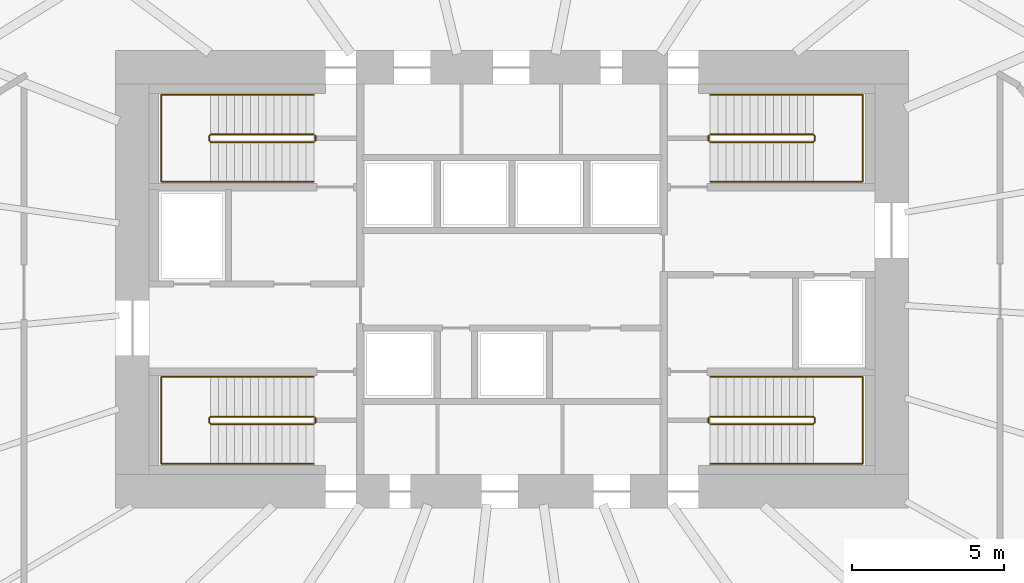
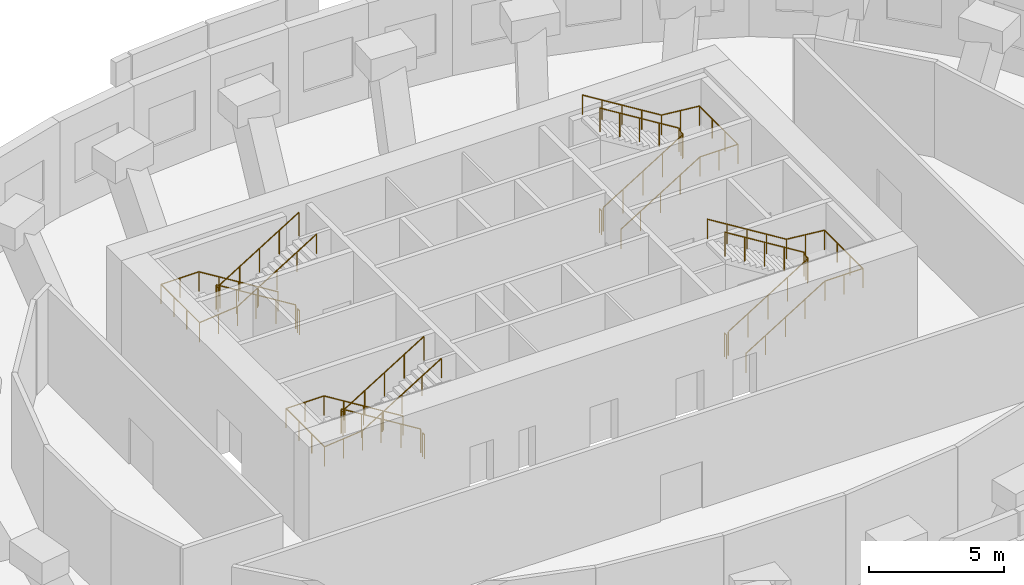
# One storey, part 9 of 9: 12 railings.
"""IFC4 building model written with IfcOpenShell, lengths in metres."""

from ifc_helpers import new_model, si_unit, direction, frame, origin, origin_2d, place, context, subcontext, project, spatial, circle, extrude, material, type_object, element, save


model = new_model("IFC4")

# Units and contexts
model_context = context("Model", 3, precision=1e-05, world=origin(), true_north=direction((0.0, 1.0)))
body_context = subcontext(model_context, "Body", "Model", "MODEL_VIEW")
ifc_project = project(units=[si_unit("LENGTHUNIT", "METRE"), si_unit("AREAUNIT", "SQUARE_METRE"), si_unit("VOLUMEUNIT", "CUBIC_METRE"), si_unit("PLANEANGLEUNIT", "RADIAN"), si_unit("MASSUNIT", "GRAM", prefix="KILO")], contexts=[model_context])

# Site, building, storey
site_placement = place(None, origin())
site = spatial("IfcSite", under=ifc_project, at=site_placement, CompositionType="ELEMENT")
building_placement = place(site_placement, origin())
building = spatial("IfcBuilding", under=site, at=building_placement, Name="Rubra Terraces Tower", CompositionType="ELEMENT")
storey_placement = place(building_placement, frame((0.0, 0.0, 169.5)))
storey = spatial("IfcBuildingStorey", under=building, at=storey_placement, Name="L41", CompositionType="ELEMENT", Elevation=169.5)

# Railings
ifc_material = material(Name="Stainless steel", Category="steel")
railing_type_1 = type_object("IfcRailingType", Name="Core stair guard 1100", PredefinedType="GUARDRAIL", material=ifc_material)
railing_1_placement = place(storey_placement, frame((-6.5, 0.0, 0.16064453125)))
element("IfcRailing", 1, at=railing_1_placement, inside=storey, type_object=railing_type_1, Name="L41 stair S1 guard 1", PredefinedType="GUARDRAIL", context=body_context, shape_type="SweptSolid", body=[
    extrude(circle(Radius=0.02392578125, at=origin_2d()), frame((0.0, 0.0, 1.076171875), z_axis=(-0.8505975674, 0.0, 0.525817248036), x_axis=(0.0, -1.0, 0.0)), (0.0, 0.0, 1.0), 3.9736328125),
    extrude(circle(Radius=0.02392578125, at=origin_2d()), frame((-3.3798828125, 0.0, 3.16552734375), z_axis=(-0.707106781187, -0.707106781187, 0.0), x_axis=(0.707106781187, -0.707106781187, 0.0)), (0.0, 0.0, 1.0), 0.07080078125),
    extrude(circle(Radius=0.02392578125, at=origin_2d()), frame((-3.429931640625, -0.050048828125, 3.16552734375), z_axis=(0.0, -1.0, 0.0), x_axis=(1.0, 0.0, 0.0)), (0.0, 0.0, 1.0), 0.14990234375),
    extrude(circle(Radius=0.02392578125, at=origin_2d()), frame((-3.429931640625, -0.199951171875, 3.16552734375), z_axis=(0.285103605394, -0.285103605394, 0.91511303585), x_axis=(0.707106781187, 0.707106781187, 0.0)), (0.0, 0.0, 1.0), 0.175537109375),
    extrude(circle(Radius=0.02392578125, at=origin_2d()), frame((-3.3798828125, -0.25, 3.326171875), z_axis=(0.8505975674, 0.0, 0.525817248036), x_axis=(0.0, 1.0, 0.0)), (0.0, 0.0, 1.0), 3.9736328125),
    extrude(circle(Radius=0.02099609375, at=origin_2d()), origin(), (0.0, 0.0, 1.0), 1.052001953125),
    extrude(circle(Radius=0.02099609375, at=origin_2d()), frame((-0.844970703125, 0.0, 0.5224609375)), (0.0, 0.0, 1.0), 1.052001953125),
    extrude(circle(Radius=0.02099609375, at=origin_2d()), frame((-1.68994140625, 0.0, 1.044677734375)), (0.0, 0.0, 1.0), 1.052001953125),
    extrude(circle(Radius=0.02099609375, at=origin_2d()), frame((-2.534912109375, 0.0, 1.56689453125)), (0.0, 0.0, 1.0), 1.052001953125),
    extrude(circle(Radius=0.02099609375, at=origin_2d()), frame((-3.3798828125, 0.0, 2.08935546875)), (0.0, 0.0, 1.0), 1.052001953125),
    extrude(circle(Radius=0.02099609375, at=origin_2d()), frame((-3.429931640625, -0.050048828125, 2.08935546875)), (0.0, 0.0, 1.0), 1.052001953125),
    extrude(circle(Radius=0.02099609375, at=origin_2d()), frame((-3.429931640625, -0.199951171875, 2.08935546875)), (0.0, 0.0, 1.0), 1.052001953125),
    extrude(circle(Radius=0.02099609375, at=origin_2d()), frame((-3.3798828125, -0.25, 2.25)), (0.0, 0.0, 1.0), 1.052001953125),
    extrude(circle(Radius=0.02099609375, at=origin_2d()), frame((-2.534912109375, -0.25, 2.7724609375)), (0.0, 0.0, 1.0), 1.052001953125),
    extrude(circle(Radius=0.02099609375, at=origin_2d()), frame((-1.68994140625, -0.25, 3.294677734375)), (0.0, 0.0, 1.0), 1.052001953125),
    extrude(circle(Radius=0.02099609375, at=origin_2d()), frame((-0.844970703125, -0.25, 3.81689453125)), (0.0, 0.0, 1.0), 1.052001953125),
    extrude(circle(Radius=0.02099609375, at=origin_2d()), frame((0.0, -0.25, 4.33935546875)), (0.0, 0.0, 1.0), 1.052001953125),
])
railing_2_placement = place(storey_placement, frame((-6.449951171875, -0.050048828125, 0.0)))
element("IfcRailing", 2, at=railing_2_placement, inside=storey, type_object=railing_type_1, Name="L41 stair S1 guard 2", PredefinedType="GUARDRAIL", context=body_context, shape_type="SweptSolid", body=[
    extrude(circle(Radius=0.02392578125, at=origin_2d()), frame((0.0, 0.0, 1.076171875), z_axis=(0.0, -1.0, 0.0), x_axis=(1.0, 0.0, 0.0)), (0.0, 0.0, 1.0), 0.14990234375),
    extrude(circle(Radius=0.02099609375, at=origin_2d()), origin(), (0.0, 0.0, 1.0), 1.052001953125),
    extrude(circle(Radius=0.02099609375, at=origin_2d()), frame((0.0, -0.14990234375, 0.0)), (0.0, 0.0, 1.0), 1.052001953125),
])
railing_3_placement = place(storey_placement, frame((-6.5, 9.25, 0.16064453125)))
element("IfcRailing", 3, at=railing_3_placement, inside=storey, type_object=railing_type_1, Name="L41 stair S2 guard 1", PredefinedType="GUARDRAIL", context=body_context, shape_type="SweptSolid", body=[
    extrude(circle(Radius=0.02392578125, at=origin_2d()), frame((0.0, 0.0, 1.076171875), z_axis=(-0.8505975674, 0.0, 0.525817248036), x_axis=(0.0, -1.0, 0.0)), (0.0, 0.0, 1.0), 3.9736328125),
    extrude(circle(Radius=0.02392578125, at=origin_2d()), frame((-3.3798828125, 0.0, 3.16552734375), z_axis=(-0.707106781187, -0.707106781187, 0.0), x_axis=(0.707106781187, -0.707106781187, 0.0)), (0.0, 0.0, 1.0), 0.07080078125),
    extrude(circle(Radius=0.02392578125, at=origin_2d()), frame((-3.429931640625, -0.050048828125, 3.16552734375), z_axis=(0.0, -1.0, 0.0), x_axis=(1.0, 0.0, 0.0)), (0.0, 0.0, 1.0), 0.14990234375),
    extrude(circle(Radius=0.02392578125, at=origin_2d()), frame((-3.429931640625, -0.199951171875, 3.16552734375), z_axis=(0.285103605394, -0.285103605394, 0.91511303585), x_axis=(0.707106781187, 0.707106781187, 0.0)), (0.0, 0.0, 1.0), 0.175537109375),
    extrude(circle(Radius=0.02392578125, at=origin_2d()), frame((-3.3798828125, -0.25, 3.326171875), z_axis=(0.8505975674, 0.0, 0.525817248036), x_axis=(0.0, 1.0, 0.0)), (0.0, 0.0, 1.0), 3.9736328125),
    extrude(circle(Radius=0.02099609375, at=origin_2d()), origin(), (0.0, 0.0, 1.0), 1.052001953125),
    extrude(circle(Radius=0.02099609375, at=origin_2d()), frame((-0.844970703125, 0.0, 0.5224609375)), (0.0, 0.0, 1.0), 1.052001953125),
    extrude(circle(Radius=0.02099609375, at=origin_2d()), frame((-1.68994140625, 0.0, 1.044677734375)), (0.0, 0.0, 1.0), 1.052001953125),
    extrude(circle(Radius=0.02099609375, at=origin_2d()), frame((-2.534912109375, 0.0, 1.56689453125)), (0.0, 0.0, 1.0), 1.052001953125),
    extrude(circle(Radius=0.02099609375, at=origin_2d()), frame((-3.3798828125, 0.0, 2.08935546875)), (0.0, 0.0, 1.0), 1.052001953125),
    extrude(circle(Radius=0.02099609375, at=origin_2d()), frame((-3.429931640625, -0.050048828125, 2.08935546875)), (0.0, 0.0, 1.0), 1.052001953125),
    extrude(circle(Radius=0.02099609375, at=origin_2d()), frame((-3.429931640625, -0.199951171875, 2.08935546875)), (0.0, 0.0, 1.0), 1.052001953125),
    extrude(circle(Radius=0.02099609375, at=origin_2d()), frame((-3.3798828125, -0.25, 2.25)), (0.0, 0.0, 1.0), 1.052001953125),
    extrude(circle(Radius=0.02099609375, at=origin_2d()), frame((-2.534912109375, -0.25, 2.7724609375)), (0.0, 0.0, 1.0), 1.052001953125),
    extrude(circle(Radius=0.02099609375, at=origin_2d()), frame((-1.68994140625, -0.25, 3.294677734375)), (0.0, 0.0, 1.0), 1.052001953125),
    extrude(circle(Radius=0.02099609375, at=origin_2d()), frame((-0.844970703125, -0.25, 3.81689453125)), (0.0, 0.0, 1.0), 1.052001953125),
    extrude(circle(Radius=0.02099609375, at=origin_2d()), frame((0.0, -0.25, 4.33935546875)), (0.0, 0.0, 1.0), 1.052001953125),
])
railing_4_placement = place(storey_placement, frame((-6.449951171875, 9.199951171875, 0.0)))
element("IfcRailing", 4, at=railing_4_placement, inside=storey, type_object=railing_type_1, Name="L41 stair S2 guard 2", PredefinedType="GUARDRAIL", context=body_context, shape_type="SweptSolid", body=[
    extrude(circle(Radius=0.02392578125, at=origin_2d()), frame((0.0, 0.0, 1.076171875), z_axis=(0.0, -1.0, 0.0), x_axis=(1.0, 0.0, 0.0)), (0.0, 0.0, 1.0), 0.14990234375),
    extrude(circle(Radius=0.02099609375, at=origin_2d()), origin(), (0.0, 0.0, 1.0), 1.052001953125),
    extrude(circle(Radius=0.02099609375, at=origin_2d()), frame((0.0, -0.14990234375, 0.0)), (0.0, 0.0, 1.0), 1.052001953125),
])
railing_5_placement = place(storey_placement, frame((6.5, 9.0, 0.16064453125)))
element("IfcRailing", 5, at=railing_5_placement, inside=storey, type_object=railing_type_1, Name="L41 stair S3 guard 1", PredefinedType="GUARDRAIL", context=body_context, shape_type="SweptSolid", body=[
    extrude(circle(Radius=0.02392578125, at=origin_2d()), frame((0.0, 0.0, 1.076171875), z_axis=(0.8505975674, 0.0, 0.525817248036), x_axis=(0.0, 1.0, 0.0)), (0.0, 0.0, 1.0), 3.9736328125),
    extrude(circle(Radius=0.02392578125, at=origin_2d()), frame((3.3798828125, 0.0, 3.16552734375), z_axis=(0.707106781187, 0.707106781187, 0.0), x_axis=(-0.707106781187, 0.707106781187, 0.0)), (0.0, 0.0, 1.0), 0.07080078125),
    extrude(circle(Radius=0.02392578125, at=origin_2d()), frame((3.429931640625, 0.050048828125, 3.16552734375), z_axis=(0.0, 1.0, 0.0), x_axis=(-1.0, 0.0, 0.0)), (0.0, 0.0, 1.0), 0.14990234375),
    extrude(circle(Radius=0.02392578125, at=origin_2d()), frame((3.429931640625, 0.199951171875, 3.16552734375), z_axis=(-0.285103605394, 0.285103605394, 0.91511303585), x_axis=(-0.707106781187, -0.707106781187, 0.0)), (0.0, 0.0, 1.0), 0.175537109375),
    extrude(circle(Radius=0.02392578125, at=origin_2d()), frame((3.3798828125, 0.25, 3.326171875), z_axis=(-0.8505975674, 0.0, 0.525817248036), x_axis=(0.0, -1.0, 0.0)), (0.0, 0.0, 1.0), 3.9736328125),
    extrude(circle(Radius=0.02099609375, at=origin_2d()), origin(), (0.0, 0.0, 1.0), 1.052001953125),
    extrude(circle(Radius=0.02099609375, at=origin_2d()), frame((0.844970703125, 0.0, 0.5224609375)), (0.0, 0.0, 1.0), 1.052001953125),
    extrude(circle(Radius=0.02099609375, at=origin_2d()), frame((1.68994140625, 0.0, 1.044677734375)), (0.0, 0.0, 1.0), 1.052001953125),
    extrude(circle(Radius=0.02099609375, at=origin_2d()), frame((2.534912109375, 0.0, 1.56689453125)), (0.0, 0.0, 1.0), 1.052001953125),
    extrude(circle(Radius=0.02099609375, at=origin_2d()), frame((3.3798828125, 0.0, 2.08935546875)), (0.0, 0.0, 1.0), 1.052001953125),
    extrude(circle(Radius=0.02099609375, at=origin_2d()), frame((3.429931640625, 0.050048828125, 2.08935546875)), (0.0, 0.0, 1.0), 1.052001953125),
    extrude(circle(Radius=0.02099609375, at=origin_2d()), frame((3.429931640625, 0.199951171875, 2.08935546875)), (0.0, 0.0, 1.0), 1.052001953125),
    extrude(circle(Radius=0.02099609375, at=origin_2d()), frame((3.3798828125, 0.25, 2.25)), (0.0, 0.0, 1.0), 1.052001953125),
    extrude(circle(Radius=0.02099609375, at=origin_2d()), frame((2.534912109375, 0.25, 2.7724609375)), (0.0, 0.0, 1.0), 1.052001953125),
    extrude(circle(Radius=0.02099609375, at=origin_2d()), frame((1.68994140625, 0.25, 3.294677734375)), (0.0, 0.0, 1.0), 1.052001953125),
    extrude(circle(Radius=0.02099609375, at=origin_2d()), frame((0.844970703125, 0.25, 3.81689453125)), (0.0, 0.0, 1.0), 1.052001953125),
    extrude(circle(Radius=0.02099609375, at=origin_2d()), frame((0.0, 0.25, 4.33935546875)), (0.0, 0.0, 1.0), 1.052001953125),
])
railing_6_placement = place(storey_placement, frame((6.449951171875, 9.050048828125, 0.0)))
element("IfcRailing", 6, at=railing_6_placement, inside=storey, type_object=railing_type_1, Name="L41 stair S3 guard 2", PredefinedType="GUARDRAIL", context=body_context, shape_type="SweptSolid", body=[
    extrude(circle(Radius=0.02392578125, at=origin_2d()), frame((0.0, 0.0, 1.076171875), z_axis=(0.0, 1.0, 0.0), x_axis=(-1.0, 0.0, 0.0)), (0.0, 0.0, 1.0), 0.14990234375),
    extrude(circle(Radius=0.02099609375, at=origin_2d()), origin(), (0.0, 0.0, 1.0), 1.052001953125),
    extrude(circle(Radius=0.02099609375, at=origin_2d()), frame((0.0, 0.14990234375, 0.0)), (0.0, 0.0, 1.0), 1.052001953125),
])
railing_7_placement = place(storey_placement, frame((6.5, -0.25, 0.16064453125)))
element("IfcRailing", 7, at=railing_7_placement, inside=storey, type_object=railing_type_1, Name="L41 stair S4 guard 1", PredefinedType="GUARDRAIL", context=body_context, shape_type="SweptSolid", body=[
    extrude(circle(Radius=0.02392578125, at=origin_2d()), frame((0.0, 0.0, 1.076171875), z_axis=(0.8505975674, 0.0, 0.525817248036), x_axis=(0.0, 1.0, 0.0)), (0.0, 0.0, 1.0), 3.9736328125),
    extrude(circle(Radius=0.02392578125, at=origin_2d()), frame((3.3798828125, 0.0, 3.16552734375), z_axis=(0.707106781187, 0.707106781187, 0.0), x_axis=(-0.707106781187, 0.707106781187, 0.0)), (0.0, 0.0, 1.0), 0.07080078125),
    extrude(circle(Radius=0.02392578125, at=origin_2d()), frame((3.429931640625, 0.050048828125, 3.16552734375), z_axis=(0.0, 1.0, 0.0), x_axis=(-1.0, 0.0, 0.0)), (0.0, 0.0, 1.0), 0.14990234375),
    extrude(circle(Radius=0.02392578125, at=origin_2d()), frame((3.429931640625, 0.199951171875, 3.16552734375), z_axis=(-0.285103605394, 0.285103605394, 0.91511303585), x_axis=(-0.707106781187, -0.707106781187, 0.0)), (0.0, 0.0, 1.0), 0.175537109375),
    extrude(circle(Radius=0.02392578125, at=origin_2d()), frame((3.3798828125, 0.25, 3.326171875), z_axis=(-0.8505975674, 0.0, 0.525817248036), x_axis=(0.0, -1.0, 0.0)), (0.0, 0.0, 1.0), 3.9736328125),
    extrude(circle(Radius=0.02099609375, at=origin_2d()), origin(), (0.0, 0.0, 1.0), 1.052001953125),
    extrude(circle(Radius=0.02099609375, at=origin_2d()), frame((0.844970703125, 0.0, 0.5224609375)), (0.0, 0.0, 1.0), 1.052001953125),
    extrude(circle(Radius=0.02099609375, at=origin_2d()), frame((1.68994140625, 0.0, 1.044677734375)), (0.0, 0.0, 1.0), 1.052001953125),
    extrude(circle(Radius=0.02099609375, at=origin_2d()), frame((2.534912109375, 0.0, 1.56689453125)), (0.0, 0.0, 1.0), 1.052001953125),
    extrude(circle(Radius=0.02099609375, at=origin_2d()), frame((3.3798828125, 0.0, 2.08935546875)), (0.0, 0.0, 1.0), 1.052001953125),
    extrude(circle(Radius=0.02099609375, at=origin_2d()), frame((3.429931640625, 0.050048828125, 2.08935546875)), (0.0, 0.0, 1.0), 1.052001953125),
    extrude(circle(Radius=0.02099609375, at=origin_2d()), frame((3.429931640625, 0.199951171875, 2.08935546875)), (0.0, 0.0, 1.0), 1.052001953125),
    extrude(circle(Radius=0.02099609375, at=origin_2d()), frame((3.3798828125, 0.25, 2.25)), (0.0, 0.0, 1.0), 1.052001953125),
    extrude(circle(Radius=0.02099609375, at=origin_2d()), frame((2.534912109375, 0.25, 2.7724609375)), (0.0, 0.0, 1.0), 1.052001953125),
    extrude(circle(Radius=0.02099609375, at=origin_2d()), frame((1.68994140625, 0.25, 3.294677734375)), (0.0, 0.0, 1.0), 1.052001953125),
    extrude(circle(Radius=0.02099609375, at=origin_2d()), frame((0.844970703125, 0.25, 3.81689453125)), (0.0, 0.0, 1.0), 1.052001953125),
    extrude(circle(Radius=0.02099609375, at=origin_2d()), frame((0.0, 0.25, 4.33935546875)), (0.0, 0.0, 1.0), 1.052001953125),
])
railing_8_placement = place(storey_placement, frame((6.449951171875, -0.199951171875, 0.0)))
element("IfcRailing", 8, at=railing_8_placement, inside=storey, type_object=railing_type_1, Name="L41 stair S4 guard 2", PredefinedType="GUARDRAIL", context=body_context, shape_type="SweptSolid", body=[
    extrude(circle(Radius=0.02392578125, at=origin_2d()), frame((0.0, 0.0, 1.076171875), z_axis=(0.0, 1.0, 0.0), x_axis=(-1.0, 0.0, 0.0)), (0.0, 0.0, 1.0), 0.14990234375),
    extrude(circle(Radius=0.02099609375, at=origin_2d()), origin(), (0.0, 0.0, 1.0), 1.052001953125),
    extrude(circle(Radius=0.02099609375, at=origin_2d()), frame((0.0, 0.14990234375, 0.0)), (0.0, 0.0, 1.0), 1.052001953125),
])
railing_type_2 = type_object("IfcRailingType", Name="Core stair handrail 900", PredefinedType="HANDRAIL", material=ifc_material)
railing_9_placement = place(storey_placement, frame((-6.5, 1.300048828125, 0.16064453125)))
element("IfcRailing", 9, at=railing_9_placement, inside=storey, type_object=railing_type_2, Name="L41 stair S1 handrail 1", PredefinedType="HANDRAIL", context=body_context, shape_type="SweptSolid", body=[
    extrude(circle(Radius=0.02392578125, at=origin_2d()), frame((0.0, 0.0, 0.8759765625), z_axis=(-0.8505975674, 0.0, 0.525817248036), x_axis=(0.0, -1.0, 0.0)), (0.0, 0.0, 1.0), 3.9736328125),
    extrude(circle(Radius=0.02392578125, at=origin_2d()), frame((-3.3798828125, 0.0, 2.96533203125), z_axis=(-1.0, 0.0, 0.0), x_axis=(0.0, -1.0, 0.0)), (0.0, 0.0, 1.0), 1.6201171875),
    extrude(circle(Radius=0.02392578125, at=origin_2d()), frame((-5.0, 0.0, 2.96533203125), z_axis=(0.0, -1.0, 0.0), x_axis=(1.0, 0.0, 0.0)), (0.0, 0.0, 1.0), 2.85009765625),
    extrude(circle(Radius=0.02392578125, at=origin_2d()), frame((-5.0, -2.85009765625, 2.96533203125), z_axis=(0.995119987753, 0.0, 0.098672235073), x_axis=(0.0, 1.0, 0.0)), (0.0, 0.0, 1.0), 1.628173828125),
    extrude(circle(Radius=0.02392578125, at=origin_2d()), frame((-3.3798828125, -2.85009765625, 3.1259765625), z_axis=(0.8505975674, 0.0, 0.525817248036), x_axis=(0.0, 1.0, 0.0)), (0.0, 0.0, 1.0), 3.9736328125),
    extrude(circle(Radius=0.02099609375, at=origin_2d()), origin(), (0.0, 0.0, 1.0), 0.851806640625),
    extrude(circle(Radius=0.02099609375, at=origin_2d()), frame((-0.844970703125, 0.0, 0.5224609375)), (0.0, 0.0, 1.0), 0.851806640625),
    extrude(circle(Radius=0.02099609375, at=origin_2d()), frame((-1.68994140625, 0.0, 1.044677734375)), (0.0, 0.0, 1.0), 0.851806640625),
    extrude(circle(Radius=0.02099609375, at=origin_2d()), frame((-2.534912109375, 0.0, 1.56689453125)), (0.0, 0.0, 1.0), 0.851806640625),
    extrude(circle(Radius=0.02099609375, at=origin_2d()), frame((-3.3798828125, 0.0, 2.08935546875)), (0.0, 0.0, 1.0), 0.851806640625),
    extrude(circle(Radius=0.02099609375, at=origin_2d()), frame((-4.18994140625, 0.0, 2.08935546875)), (0.0, 0.0, 1.0), 0.851806640625),
    extrude(circle(Radius=0.02099609375, at=origin_2d()), frame((-5.0, 0.0, 2.08935546875)), (0.0, 0.0, 1.0), 0.851806640625),
    extrude(circle(Radius=0.02099609375, at=origin_2d()), frame((-5.0, -0.949951171875, 2.08935546875)), (0.0, 0.0, 1.0), 0.851806640625),
    extrude(circle(Radius=0.02099609375, at=origin_2d()), frame((-5.0, -1.900146484375, 2.08935546875)), (0.0, 0.0, 1.0), 0.851806640625),
    extrude(circle(Radius=0.02099609375, at=origin_2d()), frame((-5.0, -2.85009765625, 2.08935546875)), (0.0, 0.0, 1.0), 0.851806640625),
    extrude(circle(Radius=0.02099609375, at=origin_2d()), frame((-4.18994140625, -2.85009765625, 2.169677734375)), (0.0, 0.0, 1.0), 0.851806640625),
    extrude(circle(Radius=0.02099609375, at=origin_2d()), frame((-3.3798828125, -2.85009765625, 2.25)), (0.0, 0.0, 1.0), 0.851806640625),
    extrude(circle(Radius=0.02099609375, at=origin_2d()), frame((-2.534912109375, -2.85009765625, 2.7724609375)), (0.0, 0.0, 1.0), 0.851806640625),
    extrude(circle(Radius=0.02099609375, at=origin_2d()), frame((-1.68994140625, -2.85009765625, 3.294677734375)), (0.0, 0.0, 1.0), 0.851806640625),
    extrude(circle(Radius=0.02099609375, at=origin_2d()), frame((-0.844970703125, -2.85009765625, 3.81689453125)), (0.0, 0.0, 1.0), 0.851806640625),
    extrude(circle(Radius=0.02099609375, at=origin_2d()), frame((0.0, -2.85009765625, 4.33935546875)), (0.0, 0.0, 1.0), 0.851806640625),
])
railing_10_placement = place(storey_placement, frame((-6.5, 10.550048828125, 0.16064453125)))
element("IfcRailing", 10, at=railing_10_placement, inside=storey, type_object=railing_type_2, Name="L41 stair S2 handrail 1", PredefinedType="HANDRAIL", context=body_context, shape_type="SweptSolid", body=[
    extrude(circle(Radius=0.02392578125, at=origin_2d()), frame((0.0, 0.0, 0.8759765625), z_axis=(-0.8505975674, 0.0, 0.525817248036), x_axis=(0.0, -1.0, 0.0)), (0.0, 0.0, 1.0), 3.9736328125),
    extrude(circle(Radius=0.02392578125, at=origin_2d()), frame((-3.3798828125, 0.0, 2.96533203125), z_axis=(-1.0, 0.0, 0.0), x_axis=(0.0, -1.0, 0.0)), (0.0, 0.0, 1.0), 1.6201171875),
    extrude(circle(Radius=0.02392578125, at=origin_2d()), frame((-5.0, 0.0, 2.96533203125), z_axis=(0.0, -1.0, 0.0), x_axis=(1.0, 0.0, 0.0)), (0.0, 0.0, 1.0), 2.85009765625),
    extrude(circle(Radius=0.02392578125, at=origin_2d()), frame((-5.0, -2.85009765625, 2.96533203125), z_axis=(0.995119987753, 0.0, 0.098672235073), x_axis=(0.0, 1.0, 0.0)), (0.0, 0.0, 1.0), 1.628173828125),
    extrude(circle(Radius=0.02392578125, at=origin_2d()), frame((-3.3798828125, -2.85009765625, 3.1259765625), z_axis=(0.8505975674, 0.0, 0.525817248036), x_axis=(0.0, 1.0, 0.0)), (0.0, 0.0, 1.0), 3.9736328125),
    extrude(circle(Radius=0.02099609375, at=origin_2d()), origin(), (0.0, 0.0, 1.0), 0.851806640625),
    extrude(circle(Radius=0.02099609375, at=origin_2d()), frame((-0.844970703125, 0.0, 0.5224609375)), (0.0, 0.0, 1.0), 0.851806640625),
    extrude(circle(Radius=0.02099609375, at=origin_2d()), frame((-1.68994140625, 0.0, 1.044677734375)), (0.0, 0.0, 1.0), 0.851806640625),
    extrude(circle(Radius=0.02099609375, at=origin_2d()), frame((-2.534912109375, 0.0, 1.56689453125)), (0.0, 0.0, 1.0), 0.851806640625),
    extrude(circle(Radius=0.02099609375, at=origin_2d()), frame((-3.3798828125, 0.0, 2.08935546875)), (0.0, 0.0, 1.0), 0.851806640625),
    extrude(circle(Radius=0.02099609375, at=origin_2d()), frame((-4.18994140625, 0.0, 2.08935546875)), (0.0, 0.0, 1.0), 0.851806640625),
    extrude(circle(Radius=0.02099609375, at=origin_2d()), frame((-5.0, 0.0, 2.08935546875)), (0.0, 0.0, 1.0), 0.851806640625),
    extrude(circle(Radius=0.02099609375, at=origin_2d()), frame((-5.0, -0.949951171875, 2.08935546875)), (0.0, 0.0, 1.0), 0.851806640625),
    extrude(circle(Radius=0.02099609375, at=origin_2d()), frame((-5.0, -1.900146484375, 2.08935546875)), (0.0, 0.0, 1.0), 0.851806640625),
    extrude(circle(Radius=0.02099609375, at=origin_2d()), frame((-5.0, -2.85009765625, 2.08935546875)), (0.0, 0.0, 1.0), 0.851806640625),
    extrude(circle(Radius=0.02099609375, at=origin_2d()), frame((-4.18994140625, -2.85009765625, 2.169677734375)), (0.0, 0.0, 1.0), 0.851806640625),
    extrude(circle(Radius=0.02099609375, at=origin_2d()), frame((-3.3798828125, -2.85009765625, 2.25)), (0.0, 0.0, 1.0), 0.851806640625),
    extrude(circle(Radius=0.02099609375, at=origin_2d()), frame((-2.534912109375, -2.85009765625, 2.7724609375)), (0.0, 0.0, 1.0), 0.851806640625),
    extrude(circle(Radius=0.02099609375, at=origin_2d()), frame((-1.68994140625, -2.85009765625, 3.294677734375)), (0.0, 0.0, 1.0), 0.851806640625),
    extrude(circle(Radius=0.02099609375, at=origin_2d()), frame((-0.844970703125, -2.85009765625, 3.81689453125)), (0.0, 0.0, 1.0), 0.851806640625),
    extrude(circle(Radius=0.02099609375, at=origin_2d()), frame((0.0, -2.85009765625, 4.33935546875)), (0.0, 0.0, 1.0), 0.851806640625),
])
railing_11_placement = place(storey_placement, frame((6.5, 7.699951171875, 0.16064453125)))
element("IfcRailing", 11, at=railing_11_placement, inside=storey, type_object=railing_type_2, Name="L41 stair S3 handrail 1", PredefinedType="HANDRAIL", context=body_context, shape_type="SweptSolid", body=[
    extrude(circle(Radius=0.02392578125, at=origin_2d()), frame((0.0, 0.0, 0.8759765625), z_axis=(0.8505975674, 0.0, 0.525817248036), x_axis=(0.0, 1.0, 0.0)), (0.0, 0.0, 1.0), 3.9736328125),
    extrude(circle(Radius=0.02392578125, at=origin_2d()), frame((3.3798828125, 0.0, 2.96533203125), z_axis=(1.0, 0.0, 0.0), x_axis=(0.0, 1.0, 0.0)), (0.0, 0.0, 1.0), 1.6201171875),
    extrude(circle(Radius=0.02392578125, at=origin_2d()), frame((5.0, 0.0, 2.96533203125), z_axis=(0.0, 1.0, 0.0), x_axis=(-1.0, 0.0, 0.0)), (0.0, 0.0, 1.0), 2.85009765625),
    extrude(circle(Radius=0.02392578125, at=origin_2d()), frame((5.0, 2.85009765625, 2.96533203125), z_axis=(-0.995119987753, 0.0, 0.098672235073), x_axis=(0.0, -1.0, 0.0)), (0.0, 0.0, 1.0), 1.628173828125),
    extrude(circle(Radius=0.02392578125, at=origin_2d()), frame((3.3798828125, 2.85009765625, 3.1259765625), z_axis=(-0.8505975674, 0.0, 0.525817248036), x_axis=(0.0, -1.0, 0.0)), (0.0, 0.0, 1.0), 3.9736328125),
    extrude(circle(Radius=0.02099609375, at=origin_2d()), origin(), (0.0, 0.0, 1.0), 0.851806640625),
    extrude(circle(Radius=0.02099609375, at=origin_2d()), frame((0.844970703125, 0.0, 0.5224609375)), (0.0, 0.0, 1.0), 0.851806640625),
    extrude(circle(Radius=0.02099609375, at=origin_2d()), frame((1.68994140625, 0.0, 1.044677734375)), (0.0, 0.0, 1.0), 0.851806640625),
    extrude(circle(Radius=0.02099609375, at=origin_2d()), frame((2.534912109375, 0.0, 1.56689453125)), (0.0, 0.0, 1.0), 0.851806640625),
    extrude(circle(Radius=0.02099609375, at=origin_2d()), frame((3.3798828125, 0.0, 2.08935546875)), (0.0, 0.0, 1.0), 0.851806640625),
    extrude(circle(Radius=0.02099609375, at=origin_2d()), frame((4.18994140625, 0.0, 2.08935546875)), (0.0, 0.0, 1.0), 0.851806640625),
    extrude(circle(Radius=0.02099609375, at=origin_2d()), frame((5.0, 0.0, 2.08935546875)), (0.0, 0.0, 1.0), 0.851806640625),
    extrude(circle(Radius=0.02099609375, at=origin_2d()), frame((5.0, 0.949951171875, 2.08935546875)), (0.0, 0.0, 1.0), 0.851806640625),
    extrude(circle(Radius=0.02099609375, at=origin_2d()), frame((5.0, 1.900146484375, 2.08935546875)), (0.0, 0.0, 1.0), 0.851806640625),
    extrude(circle(Radius=0.02099609375, at=origin_2d()), frame((5.0, 2.85009765625, 2.08935546875)), (0.0, 0.0, 1.0), 0.851806640625),
    extrude(circle(Radius=0.02099609375, at=origin_2d()), frame((4.18994140625, 2.85009765625, 2.169677734375)), (0.0, 0.0, 1.0), 0.851806640625),
    extrude(circle(Radius=0.02099609375, at=origin_2d()), frame((3.3798828125, 2.85009765625, 2.25)), (0.0, 0.0, 1.0), 0.851806640625),
    extrude(circle(Radius=0.02099609375, at=origin_2d()), frame((2.534912109375, 2.85009765625, 2.7724609375)), (0.0, 0.0, 1.0), 0.851806640625),
    extrude(circle(Radius=0.02099609375, at=origin_2d()), frame((1.68994140625, 2.85009765625, 3.294677734375)), (0.0, 0.0, 1.0), 0.851806640625),
    extrude(circle(Radius=0.02099609375, at=origin_2d()), frame((0.844970703125, 2.85009765625, 3.81689453125)), (0.0, 0.0, 1.0), 0.851806640625),
    extrude(circle(Radius=0.02099609375, at=origin_2d()), frame((0.0, 2.85009765625, 4.33935546875)), (0.0, 0.0, 1.0), 0.851806640625),
])
railing_12_placement = place(storey_placement, frame((6.5, -1.550048828125, 0.16064453125)))
element("IfcRailing", 12, at=railing_12_placement, inside=storey, type_object=railing_type_2, Name="L41 stair S4 handrail 1", PredefinedType="HANDRAIL", context=body_context, shape_type="SweptSolid", body=[
    extrude(circle(Radius=0.02392578125, at=origin_2d()), frame((0.0, 0.0, 0.8759765625), z_axis=(0.8505975674, 0.0, 0.525817248036), x_axis=(0.0, 1.0, 0.0)), (0.0, 0.0, 1.0), 3.9736328125),
    extrude(circle(Radius=0.02392578125, at=origin_2d()), frame((3.3798828125, 0.0, 2.96533203125), z_axis=(1.0, 0.0, 0.0), x_axis=(0.0, 1.0, 0.0)), (0.0, 0.0, 1.0), 1.6201171875),
    extrude(circle(Radius=0.02392578125, at=origin_2d()), frame((5.0, 0.0, 2.96533203125), z_axis=(0.0, 1.0, 0.0), x_axis=(-1.0, 0.0, 0.0)), (0.0, 0.0, 1.0), 2.85009765625),
    extrude(circle(Radius=0.02392578125, at=origin_2d()), frame((5.0, 2.85009765625, 2.96533203125), z_axis=(-0.995119987753, 0.0, 0.098672235073), x_axis=(0.0, -1.0, 0.0)), (0.0, 0.0, 1.0), 1.628173828125),
    extrude(circle(Radius=0.02392578125, at=origin_2d()), frame((3.3798828125, 2.85009765625, 3.1259765625), z_axis=(-0.8505975674, 0.0, 0.525817248036), x_axis=(0.0, -1.0, 0.0)), (0.0, 0.0, 1.0), 3.9736328125),
    extrude(circle(Radius=0.02099609375, at=origin_2d()), origin(), (0.0, 0.0, 1.0), 0.851806640625),
    extrude(circle(Radius=0.02099609375, at=origin_2d()), frame((0.844970703125, 0.0, 0.5224609375)), (0.0, 0.0, 1.0), 0.851806640625),
    extrude(circle(Radius=0.02099609375, at=origin_2d()), frame((1.68994140625, 0.0, 1.044677734375)), (0.0, 0.0, 1.0), 0.851806640625),
    extrude(circle(Radius=0.02099609375, at=origin_2d()), frame((2.534912109375, 0.0, 1.56689453125)), (0.0, 0.0, 1.0), 0.851806640625),
    extrude(circle(Radius=0.02099609375, at=origin_2d()), frame((3.3798828125, 0.0, 2.08935546875)), (0.0, 0.0, 1.0), 0.851806640625),
    extrude(circle(Radius=0.02099609375, at=origin_2d()), frame((4.18994140625, 0.0, 2.08935546875)), (0.0, 0.0, 1.0), 0.851806640625),
    extrude(circle(Radius=0.02099609375, at=origin_2d()), frame((5.0, 0.0, 2.08935546875)), (0.0, 0.0, 1.0), 0.851806640625),
    extrude(circle(Radius=0.02099609375, at=origin_2d()), frame((5.0, 0.949951171875, 2.08935546875)), (0.0, 0.0, 1.0), 0.851806640625),
    extrude(circle(Radius=0.02099609375, at=origin_2d()), frame((5.0, 1.900146484375, 2.08935546875)), (0.0, 0.0, 1.0), 0.851806640625),
    extrude(circle(Radius=0.02099609375, at=origin_2d()), frame((5.0, 2.85009765625, 2.08935546875)), (0.0, 0.0, 1.0), 0.851806640625),
    extrude(circle(Radius=0.02099609375, at=origin_2d()), frame((4.18994140625, 2.85009765625, 2.169677734375)), (0.0, 0.0, 1.0), 0.851806640625),
    extrude(circle(Radius=0.02099609375, at=origin_2d()), frame((3.3798828125, 2.85009765625, 2.25)), (0.0, 0.0, 1.0), 0.851806640625),
    extrude(circle(Radius=0.02099609375, at=origin_2d()), frame((2.534912109375, 2.85009765625, 2.7724609375)), (0.0, 0.0, 1.0), 0.851806640625),
    extrude(circle(Radius=0.02099609375, at=origin_2d()), frame((1.68994140625, 2.85009765625, 3.294677734375)), (0.0, 0.0, 1.0), 0.851806640625),
    extrude(circle(Radius=0.02099609375, at=origin_2d()), frame((0.844970703125, 2.85009765625, 3.81689453125)), (0.0, 0.0, 1.0), 0.851806640625),
    extrude(circle(Radius=0.02099609375, at=origin_2d()), frame((0.0, 2.85009765625, 4.33935546875)), (0.0, 0.0, 1.0), 0.851806640625),
])

save(model, "model.ifc")
